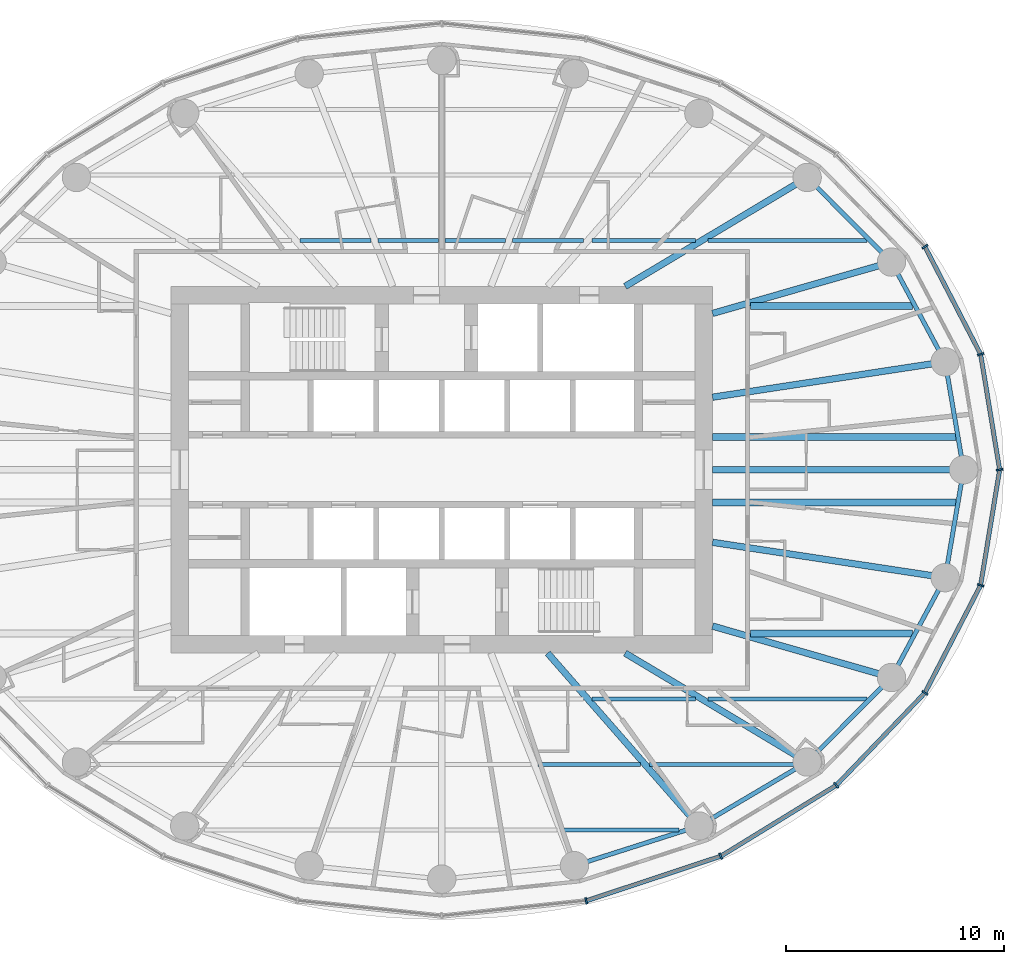
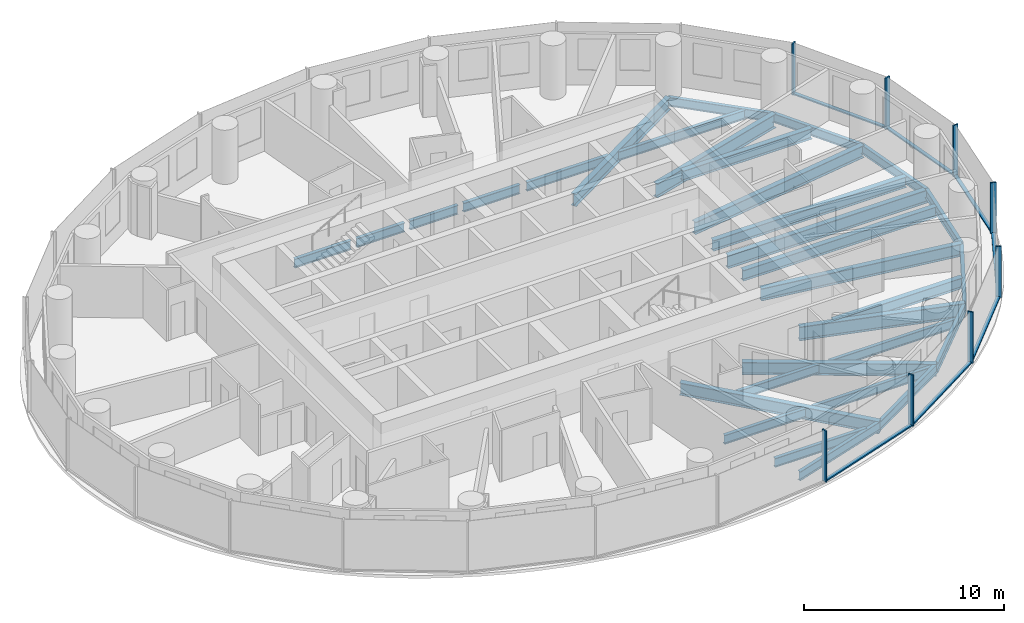
# One storey, part 3 of 13: 31 beams, 15 members, 2 elements without a shape of their own.
"""IFC4 building model written with IfcOpenShell, lengths in metres."""

from ifc_helpers import new_model, si_unit, direction, frame, origin, origin_2d, place, context, subcontext, project, spatial, rectangle, i_section, extrude, material, material_profile, profile_set, type_object, element, aggregate, save


model = new_model("IFC4")

# Units and contexts
model_context = context("Model", 3, precision=1e-05, world=origin(), true_north=direction((0.0, 1.0)))
body_context = subcontext(model_context, "Body", "Model", "MODEL_VIEW")
ifc_project = project(units=[si_unit("LENGTHUNIT", "METRE"), si_unit("AREAUNIT", "SQUARE_METRE"), si_unit("VOLUMEUNIT", "CUBIC_METRE"), si_unit("PLANEANGLEUNIT", "RADIAN"), si_unit("MASSUNIT", "GRAM", prefix="KILO")], contexts=[model_context])

# Site, building, storey
site_placement = place(None, origin())
site = spatial("IfcSite", under=ifc_project, at=site_placement, CompositionType="ELEMENT")
building_placement = place(site_placement, origin())
building = spatial("IfcBuilding", under=site, at=building_placement, Name="Hankou Lantern Tower", CompositionType="ELEMENT")
storey_placement = place(building_placement, frame((0.0, 0.0, 132.0)))
storey = spatial("IfcBuildingStorey", under=building, at=storey_placement, Name="L34", CompositionType="ELEMENT", Elevation=132.0)

# Beams
ifc_material_1 = material(Name="Steel Q355B", Category="steel")
ifc_material_profile_1 = material_profile(ifc_material_1, i_section(OverallWidth=0.199951171875, OverallDepth=0.550048828125, WebThickness=0.010009765625, FlangeThickness=0.01611328125, FilletRadius=0.012939453125, at=origin_2d()), Name="HN550x200x10x16")
ifc_profile_set_1 = profile_set([ifc_material_profile_1], Name="Steel Q355B")
beam_type_1 = type_object("IfcBeamType", Name="EB6 RING BEAM HN550x200x10x16", PredefinedType="SPANDREL", material=ifc_profile_set_1)
beam_1_placement = place(storey_placement, frame((23.89990234375, 0.0, -0.455078125), z_axis=(-0.168527258545, 0.985696993567, 0.0), x_axis=(-0.985696993567, -0.168527258545, 0.0)))
element("IfcBeam", 1, at=beam_1_placement, inside=storey, type_object=beam_type_1, Name="Ring beam R01-R02 L34", PredefinedType="SPANDREL", context=body_context, shape_type="SweptSolid", body=[
    extrude(i_section(OverallWidth=0.199951171875, OverallDepth=0.550048828125, WebThickness=0.010009765625, FlangeThickness=0.01611328125, FilletRadius=0.012939453125, at=origin_2d()), origin(), (0.0, 0.0, 1.0), 5.013916015625),
])
beam_2_placement = place(storey_placement, frame((23.054931640625, 4.942138671875, -0.455078125), z_axis=(-0.473824901673, 0.880619079145, 0.0), x_axis=(-0.880619079145, -0.473824901673, 0.0)))
element("IfcBeam", 2, at=beam_2_placement, inside=storey, type_object=beam_type_1, Name="Ring beam R02-R03 L34", PredefinedType="SPANDREL", context=body_context, shape_type="SweptSolid", body=[
    extrude(i_section(OverallWidth=0.199951171875, OverallDepth=0.550048828125, WebThickness=0.010009765625, FlangeThickness=0.01611328125, FilletRadius=0.012939453125, at=origin_2d()), origin(), (0.0, 0.0, 1.0), 5.190185546875),
])
beam_3_placement = place(storey_placement, frame((20.595703125, 9.5126953125, -0.455078125), z_axis=(-0.705945468625, 0.708266189599, 0.0), x_axis=(-0.708266189599, -0.705945468625, 0.0)))
element("IfcBeam", 3, at=beam_3_placement, inside=storey, type_object=beam_type_1, Name="Ring beam R03-R04 L34", PredefinedType="SPANDREL", context=body_context, shape_type="SweptSolid", body=[
    extrude(i_section(OverallWidth=0.199951171875, OverallDepth=0.550048828125, WebThickness=0.010009765625, FlangeThickness=0.01611328125, FilletRadius=0.012939453125, at=origin_2d()), origin(), (0.0, 0.0, 1.0), 5.470458984375),
])
beam_4_placement = place(storey_placement, frame((6.073974609375, -18.134521484375, -0.455078125), z_axis=(0.952731090451, 0.303814860215, 0.0), x_axis=(-0.303814860215, 0.952731090451, 0.0)))
element("IfcBeam", 4, at=beam_4_placement, inside=storey, type_object=beam_type_1, Name="Ring beam R20-R21 L34", PredefinedType="SPANDREL", context=body_context, shape_type="SweptSolid", body=[
    extrude(i_section(OverallWidth=0.199951171875, OverallDepth=0.550048828125, WebThickness=0.010009765625, FlangeThickness=0.01611328125, FilletRadius=0.012939453125, at=origin_2d()), origin(), (0.0, 0.0, 1.0), 5.984375),
])
beam_5_placement = place(storey_placement, frame((11.775390625, -16.31640625, -0.455078125), z_axis=(0.860988974188, 0.508623619513, 0.0), x_axis=(-0.508623619513, 0.860988974188, 0.0)))
element("IfcBeam", 5, at=beam_5_placement, inside=storey, type_object=beam_type_1, Name="Ring beam R21-R22 L34", PredefinedType="SPANDREL", context=body_context, shape_type="SweptSolid", body=[
    extrude(i_section(OverallWidth=0.199951171875, OverallDepth=0.550048828125, WebThickness=0.010009765625, FlangeThickness=0.01611328125, FilletRadius=0.012939453125, at=origin_2d()), origin(), (0.0, 0.0, 1.0), 5.759033203125),
])
beam_6_placement = place(storey_placement, frame((16.73388671875, -13.38720703125, -0.455078125), z_axis=(0.705945468625, 0.708266189599, 0.0), x_axis=(-0.708266189599, 0.705945468625, 0.0)))
element("IfcBeam", 6, at=beam_6_placement, inside=storey, type_object=beam_type_1, Name="Ring beam R22-R23 L34", PredefinedType="SPANDREL", context=body_context, shape_type="SweptSolid", body=[
    extrude(i_section(OverallWidth=0.199951171875, OverallDepth=0.550048828125, WebThickness=0.010009765625, FlangeThickness=0.01611328125, FilletRadius=0.012939453125, at=origin_2d()), origin(), (0.0, 0.0, 1.0), 5.470458984375),
])
beam_7_placement = place(storey_placement, frame((20.595703125, -9.5126953125, -0.455078125), z_axis=(0.473824901673, 0.880619079145, 0.0), x_axis=(-0.880619079145, 0.473824901673, 0.0)))
element("IfcBeam", 7, at=beam_7_placement, inside=storey, type_object=beam_type_1, Name="Ring beam R23-R24 L34", PredefinedType="SPANDREL", context=body_context, shape_type="SweptSolid", body=[
    extrude(i_section(OverallWidth=0.199951171875, OverallDepth=0.550048828125, WebThickness=0.010009765625, FlangeThickness=0.01611328125, FilletRadius=0.012939453125, at=origin_2d()), origin(), (0.0, 0.0, 1.0), 5.190185546875),
])
beam_8_placement = place(storey_placement, frame((23.054931640625, -4.942138671875, -0.455078125), z_axis=(0.168527258545, 0.985696993567, 0.0), x_axis=(-0.985696993567, 0.168527258545, 0.0)))
element("IfcBeam", 8, at=beam_8_placement, inside=storey, type_object=beam_type_1, Name="Ring beam R24-R01 L34", PredefinedType="SPANDREL", context=body_context, shape_type="SweptSolid", body=[
    extrude(i_section(OverallWidth=0.199951171875, OverallDepth=0.550048828125, WebThickness=0.010009765625, FlangeThickness=0.01611328125, FilletRadius=0.012939453125, at=origin_2d()), origin(), (0.0, 0.0, 1.0), 5.013916015625),
])

# Curtain wall, members
ifc_material_2 = material(Name="Glass, dark grey tinted laminated", Category="glass")
curtain_wall_type = type_object("IfcCurtainWallType", Name="CWB OUTER SKIN MID-RISE", PredefinedType="USERDEFINED", material=ifc_material_2)
curtain_wall_1_placement = place(storey_placement, origin())
curtain_wall_1 = element("IfcCurtainWall", 9, at=curtain_wall_1_placement, inside=storey, type_object=curtain_wall_type, Name="CWB L34 OS1", ObjectType="OUTER SKIN MID-RISE", PredefinedType="USERDEFINED")
ifc_material_3 = material(Name="Aluminium, black anodised", Category="aluminium")
ifc_material_profile_2 = material_profile(ifc_material_3, rectangle(XDim=0.080078125, YDim=0.300048828125, at=origin_2d()), Name="MU1 80X300")
ifc_profile_set_2 = profile_set([ifc_material_profile_2], Name="Aluminium, black anodised")
member_type_1 = type_object("IfcMemberType", Name="MU1 OUTER SKIN MULLION 80X300", PredefinedType="MULLION", material=ifc_profile_set_2)
member_1_placement = place(storey_placement, frame((25.550048828125, 0.0, 0.0), z_axis=(0.0, 0.0, 1.0), x_axis=(-0.162381515188, 0.986728049427, 0.0)))
member_1 = element("IfcMember", 10, at=member_1_placement, type_object=member_type_1, Name="CWB mullion 1", PredefinedType="MULLION", context=body_context, shape_type="SweptSolid", body=[
    extrude(rectangle(XDim=0.080078125, YDim=0.300048828125, at=origin_2d()), origin(), (0.0, 0.0, 1.0), 3.1201171875),
])
member_2_placement = place(storey_placement, frame((24.679443359375, 5.290283203125, 0.0), z_axis=(0.0, 0.0, 1.0), x_axis=(-0.317595577365, 0.94822626479, 0.0)))
member_2 = element("IfcMember", 11, at=member_2_placement, type_object=member_type_1, Name="CWB mullion 2", PredefinedType="MULLION", context=body_context, shape_type="SweptSolid", body=[
    extrude(rectangle(XDim=0.080078125, YDim=0.300048828125, at=origin_2d()), origin(), (0.0, 0.0, 1.0), 3.1201171875),
])
member_3_placement = place(storey_placement, frame((22.126953125, 10.219970703125, 0.0), z_axis=(0.0, 0.0, 1.0), x_axis=(-0.585205735974, 0.810884854084, 0.0)))
member_3 = element("IfcMember", 12, at=member_3_placement, type_object=member_type_1, Name="CWB mullion 3", PredefinedType="MULLION", context=body_context, shape_type="SweptSolid", body=[
    extrude(rectangle(XDim=0.080078125, YDim=0.300048828125, at=origin_2d()), origin(), (0.0, 0.0, 1.0), 3.1201171875),
])

curtain_wall_2_placement = place(storey_placement, origin())
curtain_wall_2 = element("IfcCurtainWall", 13, at=curtain_wall_2_placement, inside=storey, type_object=curtain_wall_type, Name="CWB L34 OS4", ObjectType="OUTER SKIN MID-RISE", PredefinedType="USERDEFINED")
member_4_placement = place(storey_placement, frame((6.61279296875, -19.743408203125, 0.0), z_axis=(0.0, 0.0, 1.0), x_axis=(0.977787659625, 0.209597931016, 0.0)))
member_4 = element("IfcMember", 14, at=member_4_placement, type_object=member_type_1, Name="CWB mullion 2", PredefinedType="MULLION", context=body_context, shape_type="SweptSolid", body=[
    extrude(rectangle(XDim=0.080078125, YDim=0.300048828125, at=origin_2d()), origin(), (0.0, 0.0, 1.0), 3.1201171875),
])
member_5_placement = place(storey_placement, frame((12.77490234375, -17.70166015625, 0.0), z_axis=(0.0, 0.0, 1.0), x_axis=(0.907841299004, 0.419313934686, 0.0)))
member_5 = element("IfcMember", 15, at=member_5_placement, type_object=member_type_1, Name="CWB mullion 3", PredefinedType="MULLION", context=body_context, shape_type="SweptSolid", body=[
    extrude(rectangle(XDim=0.080078125, YDim=0.300048828125, at=origin_2d()), origin(), (0.0, 0.0, 1.0), 3.1201171875),
])
member_6_placement = place(storey_placement, frame((18.066650390625, -14.453369140625, 0.0), z_axis=(0.0, 0.0, 1.0), x_axis=(0.780868809444, 0.624695047553, 0.0)))
member_6 = element("IfcMember", 16, at=member_6_placement, type_object=member_type_1, Name="CWB mullion 4", PredefinedType="MULLION", context=body_context, shape_type="SweptSolid", body=[
    extrude(rectangle(XDim=0.080078125, YDim=0.300048828125, at=origin_2d()), origin(), (0.0, 0.0, 1.0), 3.1201171875),
])
member_7_placement = place(storey_placement, frame((22.126953125, -10.219970703125, 0.0), z_axis=(0.0, 0.0, 1.0), x_axis=(0.585205735974, 0.810884854084, 0.0)))
member_7 = element("IfcMember", 17, at=member_7_placement, type_object=member_type_1, Name="CWB mullion 5", PredefinedType="MULLION", context=body_context, shape_type="SweptSolid", body=[
    extrude(rectangle(XDim=0.080078125, YDim=0.300048828125, at=origin_2d()), origin(), (0.0, 0.0, 1.0), 3.1201171875),
])
member_8_placement = place(storey_placement, frame((24.679443359375, -5.290283203125, 0.0), z_axis=(0.0, 0.0, 1.0), x_axis=(0.317595577365, 0.94822626479, 0.0)))
member_8 = element("IfcMember", 18, at=member_8_placement, type_object=member_type_1, Name="CWB mullion 6", PredefinedType="MULLION", context=body_context, shape_type="SweptSolid", body=[
    extrude(rectangle(XDim=0.080078125, YDim=0.300048828125, at=origin_2d()), origin(), (0.0, 0.0, 1.0), 3.1201171875),
])

# Beams
ifc_material_4 = material(Name="Steel Q355B", Category="steel")
ifc_material_profile_3 = material_profile(ifc_material_4, i_section(OverallWidth=0.300048828125, OverallDepth=0.75, WebThickness=0.012939453125, FlangeThickness=0.02392578125, FilletRadius=0.01806640625, at=origin_2d()), Name="HN750x300x13x24")
ifc_profile_set_3 = profile_set([ifc_material_profile_3], Name="Steel Q355B")
beam_type_2 = type_object("IfcBeamType", Name="RB10 RADIAL BEAM HN750x300x13x24", PredefinedType="BEAM", material=ifc_profile_set_3)
beam_9_placement = place(storey_placement, frame((12.39990234375, 3.322509765625, -0.554931640625), z_axis=(0.988643506875, 0.150279793429, 0.0), x_axis=(-0.150279793429, 0.988643506875, 0.0)))
element("IfcBeam", 19, at=beam_9_placement, inside=storey, type_object=beam_type_2, Name="Radial beam R02 L34", PredefinedType="BEAM", context=body_context, shape_type="SweptSolid", body=[
    extrude(i_section(OverallWidth=0.300048828125, OverallDepth=0.75, WebThickness=0.012939453125, FlangeThickness=0.02392578125, FilletRadius=0.01806640625, at=origin_2d()), origin(), (0.0, 0.0, 1.0), 10.77734375),
])
beam_10_placement = place(storey_placement, frame((8.39990234375, 8.39990234375, -0.554931640625), z_axis=(0.858086776551, 0.513504706802, 0.0), x_axis=(-0.513504706802, 0.858086776551, 0.0)))
element("IfcBeam", 20, at=beam_10_placement, inside=storey, type_object=beam_type_2, Name="Radial beam R04 L34", PredefinedType="BEAM", context=body_context, shape_type="SweptSolid", body=[
    extrude(i_section(OverallWidth=0.300048828125, OverallDepth=0.75, WebThickness=0.012939453125, FlangeThickness=0.02392578125, FilletRadius=0.01806640625, at=origin_2d()), origin(), (0.0, 0.0, 1.0), 9.71240234375),
])
beam_11_placement = place(storey_placement, frame((4.849853515625, -8.39990234375, -0.554931640625), z_axis=(0.658429014446, -0.752642832249, 0.0), x_axis=(0.752642832249, 0.658429014446, 0.0)))
element("IfcBeam", 21, at=beam_11_placement, inside=storey, type_object=beam_type_2, Name="Radial beam R21 L34", PredefinedType="BEAM", context=body_context, shape_type="SweptSolid", body=[
    extrude(i_section(OverallWidth=0.300048828125, OverallDepth=0.75, WebThickness=0.012939453125, FlangeThickness=0.02392578125, FilletRadius=0.01806640625, at=origin_2d()), origin(), (0.0, 0.0, 1.0), 10.518310546875),
])
beam_12_placement = place(storey_placement, frame((8.39990234375, -8.39990234375, -0.554931640625), z_axis=(0.858086776551, -0.513504706802, 0.0), x_axis=(0.513504706802, 0.858086776551, 0.0)))
element("IfcBeam", 22, at=beam_12_placement, inside=storey, type_object=beam_type_2, Name="Radial beam R22 L34", PredefinedType="BEAM", context=body_context, shape_type="SweptSolid", body=[
    extrude(i_section(OverallWidth=0.300048828125, OverallDepth=0.75, WebThickness=0.012939453125, FlangeThickness=0.02392578125, FilletRadius=0.01806640625, at=origin_2d()), origin(), (0.0, 0.0, 1.0), 9.71240234375),
])
beam_13_placement = place(storey_placement, frame((12.39990234375, -3.322509765625, -0.554931640625), z_axis=(0.988643506875, -0.150279793429, 0.0), x_axis=(0.150279793429, 0.988643506875, 0.0)))
element("IfcBeam", 23, at=beam_13_placement, inside=storey, type_object=beam_type_2, Name="Radial beam R24 L34", PredefinedType="BEAM", context=body_context, shape_type="SweptSolid", body=[
    extrude(i_section(OverallWidth=0.300048828125, OverallDepth=0.75, WebThickness=0.012939453125, FlangeThickness=0.02392578125, FilletRadius=0.01806640625, at=origin_2d()), origin(), (0.0, 0.0, 1.0), 10.77734375),
])
ifc_material_5 = material(Name="Steel Q355B", Category="steel")
ifc_material_profile_4 = material_profile(ifc_material_5, i_section(OverallWidth=0.300048828125, OverallDepth=0.800048828125, WebThickness=0.013916015625, FlangeThickness=0.02587890625, FilletRadius=0.01806640625, at=origin_2d()), Name="HN800x300x14x26")
ifc_profile_set_4 = profile_set([ifc_material_profile_4], Name="Steel Q355B")
beam_type_3 = type_object("IfcBeamType", Name="RB11 RADIAL BEAM HN800x300x14x26", PredefinedType="BEAM", material=ifc_profile_set_4)
beam_14_placement = place(storey_placement, frame((12.39990234375, 0.0, -0.580078125), z_axis=(1.0, 0.0, 0.0), x_axis=(0.0, 1.0, 0.0)))
element("IfcBeam", 24, at=beam_14_placement, inside=storey, type_object=beam_type_3, Name="Radial beam R01 L34", PredefinedType="BEAM", context=body_context, shape_type="SweptSolid", body=[
    extrude(i_section(OverallWidth=0.300048828125, OverallDepth=0.800048828125, WebThickness=0.013916015625, FlangeThickness=0.02587890625, FilletRadius=0.01806640625, at=origin_2d()), origin(), (0.0, 0.0, 1.0), 11.5),
])
ifc_material_6 = material(Name="Steel Q355B", Category="steel")
ifc_material_profile_5 = material_profile(ifc_material_6, i_section(OverallWidth=0.300048828125, OverallDepth=0.85009765625, WebThickness=0.01611328125, FlangeThickness=0.027099609375, FilletRadius=0.01806640625, at=origin_2d()), Name="HN850x300x16x27")
ifc_profile_set_5 = profile_set([ifc_material_profile_5], Name="Steel Q355B")
beam_type_4 = type_object("IfcBeamType", Name="RB12 RADIAL BEAM HN850x300x16x27", PredefinedType="BEAM", material=ifc_profile_set_5)
for number, where, z_axis, x_axis, name in (
    (25, (12.39990234375, 7.1591796875, -0.60498046875), (0.961155741911, 0.276006593745, 0.0), (-0.276006593745, 0.961155741911, 0.0), "Radial beam R03 L34"),
    (26, (12.39990234375, -7.1591796875, -0.60498046875), (0.961155741911, -0.276006593745, 0.0), (0.276006593745, 0.961155741911, 0.0), "Radial beam R23 L34"),
):
    element("IfcBeam", number, at=place(storey_placement, frame(where, z_axis=z_axis, x_axis=x_axis)), inside=storey, type_object=beam_type_4, Name=name, PredefinedType="BEAM", context=body_context, shape_type="SweptSolid", body=[
        extrude(i_section(OverallWidth=0.300048828125, OverallDepth=0.85009765625, WebThickness=0.01611328125, FlangeThickness=0.027099609375, FilletRadius=0.01806640625, at=origin_2d()), origin(), (0.0, 0.0, 1.0), 8.527099609375),
    ])
ifc_material_7 = material(Name="Steel Q355B", Category="steel")
ifc_material_profile_6 = material_profile(ifc_material_7, i_section(OverallWidth=0.199951171875, OverallDepth=0.550048828125, WebThickness=0.010009765625, FlangeThickness=0.01611328125, FilletRadius=0.012939453125, at=origin_2d()), Name="HN550x200x10x16")
ifc_profile_set_6 = profile_set([ifc_material_profile_6], Name="Steel Q355B")
beam_type_5 = type_object("IfcBeamType", Name="SB6 SECONDARY BEAM HN550x200x10x16", PredefinedType="JOIST", material=ifc_profile_set_6)
beam_15_placement = place(storey_placement, frame((5.59326171875, -16.5, -0.455078125), z_axis=(1.0, 0.0, 0.0), x_axis=(0.0, 1.0, 0.0)))
element("IfcBeam", 27, at=beam_15_placement, inside=storey, type_object=beam_type_5, Name="Floor joist J004 L34", PredefinedType="JOIST", context=body_context, shape_type="SweptSolid", body=[
    extrude(i_section(OverallWidth=0.199951171875, OverallDepth=0.550048828125, WebThickness=0.010009765625, FlangeThickness=0.01611328125, FilletRadius=0.012939453125, at=origin_2d()), origin(), (0.0, 0.0, 1.0), 5.27685546875),
])
beam_16_placement = place(storey_placement, frame((4.4150390625, -13.5, -0.455078125), z_axis=(1.0, 0.0, 0.0), x_axis=(0.0, 1.0, 0.0)))
element("IfcBeam", 28, at=beam_16_placement, inside=storey, type_object=beam_type_5, Name="Floor joist J009 L34", PredefinedType="JOIST", context=body_context, shape_type="SweptSolid", body=[
    extrude(i_section(OverallWidth=0.199951171875, OverallDepth=0.550048828125, WebThickness=0.010009765625, FlangeThickness=0.01611328125, FilletRadius=0.012939453125, at=origin_2d()), origin(), (0.0, 0.0, 1.0), 4.697021484375),
])
beam_17_placement = place(storey_placement, frame((9.5107421875, -13.5, -0.455078125), z_axis=(1.0, 0.0, 0.0), x_axis=(0.0, 1.0, 0.0)))
element("IfcBeam", 29, at=beam_17_placement, inside=storey, type_object=beam_type_5, Name="Floor joist J010 L34", PredefinedType="JOIST", context=body_context, shape_type="SweptSolid", body=[
    extrude(i_section(OverallWidth=0.199951171875, OverallDepth=0.550048828125, WebThickness=0.010009765625, FlangeThickness=0.01611328125, FilletRadius=0.012939453125, at=origin_2d()), origin(), (0.0, 0.0, 1.0), 6.83544921875),
])
beam_18_placement = place(storey_placement, frame((6.88623046875, -10.5, -0.455078125), z_axis=(1.0, 0.0, 0.0), x_axis=(0.0, 1.0, 0.0)))
element("IfcBeam", 30, at=beam_18_placement, inside=storey, type_object=beam_type_5, Name="Floor joist J017 L34", PredefinedType="JOIST", context=body_context, shape_type="SweptSolid", body=[
    extrude(i_section(OverallWidth=0.199951171875, OverallDepth=0.550048828125, WebThickness=0.010009765625, FlangeThickness=0.01611328125, FilletRadius=0.012939453125, at=origin_2d()), origin(), (0.0, 0.0, 1.0), 4.73095703125),
])
beam_19_placement = place(storey_placement, frame((12.201416015625, -10.5, -0.455078125), z_axis=(1.0, 0.0, 0.0), x_axis=(0.0, 1.0, 0.0)))
element("IfcBeam", 31, at=beam_19_placement, inside=storey, type_object=beam_type_5, Name="Floor joist J018 L34", PredefinedType="JOIST", context=body_context, shape_type="SweptSolid", body=[
    extrude(i_section(OverallWidth=0.199951171875, OverallDepth=0.550048828125, WebThickness=0.010009765625, FlangeThickness=0.01611328125, FilletRadius=0.012939453125, at=origin_2d()), origin(), (0.0, 0.0, 1.0), 7.26904296875),
])
beam_20_placement = place(storey_placement, frame((-6.487548828125, 10.5, -0.455078125), z_axis=(1.0, 0.0, 0.0), x_axis=(0.0, 1.0, 0.0)))
element("IfcBeam", 32, at=beam_20_placement, inside=storey, type_object=beam_type_5, Name="Floor joist J037 L34", PredefinedType="JOIST", context=body_context, shape_type="SweptSolid", body=[
    extrude(i_section(OverallWidth=0.199951171875, OverallDepth=0.550048828125, WebThickness=0.010009765625, FlangeThickness=0.01611328125, FilletRadius=0.012939453125, at=origin_2d()), origin(), (0.0, 0.0, 1.0), 3.2509765625),
])
for number, where, z_axis, x_axis, name in (
    (33, (-2.914306640625, 10.5, -0.455078125), (1.0, 0.0, 0.0), (0.0, 1.0, 0.0), "Floor joist J038 L34"),
    (34, (0.14990234375, 10.5, -0.455078125), (1.0, 0.0, 0.0), (0.0, 1.0, 0.0), "Floor joist J039 L34"),
):
    element("IfcBeam", number, at=place(storey_placement, frame(where, z_axis=z_axis, x_axis=x_axis)), inside=storey, type_object=beam_type_5, Name=name, PredefinedType="JOIST", context=body_context, shape_type="SweptSolid", body=[
        extrude(i_section(OverallWidth=0.199951171875, OverallDepth=0.550048828125, WebThickness=0.010009765625, FlangeThickness=0.01611328125, FilletRadius=0.012939453125, at=origin_2d()), origin(), (0.0, 0.0, 1.0), 2.764404296875),
    ])
beam_21_placement = place(storey_placement, frame((3.236572265625, 10.5, -0.455078125), z_axis=(1.0, 0.0, 0.0), x_axis=(0.0, 1.0, 0.0)))
element("IfcBeam", 35, at=beam_21_placement, inside=storey, type_object=beam_type_5, Name="Floor joist J040 L34", PredefinedType="JOIST", context=body_context, shape_type="SweptSolid", body=[
    extrude(i_section(OverallWidth=0.199951171875, OverallDepth=0.550048828125, WebThickness=0.010009765625, FlangeThickness=0.01611328125, FilletRadius=0.012939453125, at=origin_2d()), origin(), (0.0, 0.0, 1.0), 3.2509765625),
])
beam_22_placement = place(storey_placement, frame((6.88623046875, 10.5, -0.455078125), z_axis=(1.0, 0.0, 0.0), x_axis=(0.0, 1.0, 0.0)))
element("IfcBeam", 36, at=beam_22_placement, inside=storey, type_object=beam_type_5, Name="Floor joist J041 L34", PredefinedType="JOIST", context=body_context, shape_type="SweptSolid", body=[
    extrude(i_section(OverallWidth=0.199951171875, OverallDepth=0.550048828125, WebThickness=0.010009765625, FlangeThickness=0.01611328125, FilletRadius=0.012939453125, at=origin_2d()), origin(), (0.0, 0.0, 1.0), 4.73095703125),
])
beam_23_placement = place(storey_placement, frame((12.201416015625, 10.5, -0.455078125), z_axis=(1.0, 0.0, 0.0), x_axis=(0.0, 1.0, 0.0)))
element("IfcBeam", 37, at=beam_23_placement, inside=storey, type_object=beam_type_5, Name="Floor joist J042 L34", PredefinedType="JOIST", context=body_context, shape_type="SweptSolid", body=[
    extrude(i_section(OverallWidth=0.199951171875, OverallDepth=0.550048828125, WebThickness=0.010009765625, FlangeThickness=0.01611328125, FilletRadius=0.012939453125, at=origin_2d()), origin(), (0.0, 0.0, 1.0), 7.26904296875),
])
ifc_material_8 = material(Name="Steel Q355B", Category="steel")
ifc_material_profile_7 = material_profile(ifc_material_8, i_section(OverallWidth=0.300048828125, OverallDepth=0.64990234375, WebThickness=0.010986328125, FlangeThickness=0.01708984375, FilletRadius=0.01806640625, at=origin_2d()), Name="HN650x300x11x17")
ifc_profile_set_7 = profile_set([ifc_material_profile_7], Name="Steel Q355B")
beam_type_6 = type_object("IfcBeamType", Name="SB8 SECONDARY BEAM HN650x300x11x17", PredefinedType="JOIST", material=ifc_profile_set_7)
beam_24_placement = place(storey_placement, frame((14.13037109375, -7.5, -0.5048828125), z_axis=(1.0, 0.0, 0.0), x_axis=(0.0, 1.0, 0.0)))
element("IfcBeam", 38, at=beam_24_placement, inside=storey, type_object=beam_type_6, Name="Floor joist J020 L34", PredefinedType="JOIST", context=body_context, shape_type="SweptSolid", body=[
    extrude(i_section(OverallWidth=0.300048828125, OverallDepth=0.64990234375, WebThickness=0.010986328125, FlangeThickness=0.01708984375, FilletRadius=0.01806640625, at=origin_2d()), origin(), (0.0, 0.0, 1.0), 7.4345703125),
])
for number, where, z_axis, x_axis, name in (
    (39, (12.39990234375, -1.5, -0.5048828125), (1.0, 0.0, 0.0), (0.0, 1.0, 0.0), "Floor joist J026 L34"),
    (40, (12.39990234375, 1.5, -0.5048828125), (1.0, 0.0, 0.0), (0.0, 1.0, 0.0), "Floor joist J028 L34"),
):
    element("IfcBeam", number, at=place(storey_placement, frame(where, z_axis=z_axis, x_axis=x_axis)), inside=storey, type_object=beam_type_6, Name=name, PredefinedType="JOIST", context=body_context, shape_type="SweptSolid", body=[
        extrude(i_section(OverallWidth=0.300048828125, OverallDepth=0.64990234375, WebThickness=0.010986328125, FlangeThickness=0.01708984375, FilletRadius=0.01806640625, at=origin_2d()), origin(), (0.0, 0.0, 1.0), 11.14208984375),
    ])
beam_25_placement = place(storey_placement, frame((14.13037109375, 7.5, -0.5048828125), z_axis=(1.0, 0.0, 0.0), x_axis=(0.0, 1.0, 0.0)))
element("IfcBeam", 41, at=beam_25_placement, inside=storey, type_object=beam_type_6, Name="Floor joist J034 L34", PredefinedType="JOIST", context=body_context, shape_type="SweptSolid", body=[
    extrude(i_section(OverallWidth=0.300048828125, OverallDepth=0.64990234375, WebThickness=0.010986328125, FlangeThickness=0.01708984375, FilletRadius=0.01806640625, at=origin_2d()), origin(), (0.0, 0.0, 1.0), 7.4345703125),
])

# Member
ifc_material_9 = material(Name="Aluminium, black anodised", Category="aluminium")
ifc_material_profile_8 = material_profile(ifc_material_9, rectangle(XDim=0.199951171875, YDim=0.080078125, at=origin_2d()), Name="TR1 200X80")
ifc_profile_set_8 = profile_set([ifc_material_profile_8], Name="Aluminium, black anodised")
member_type_2 = type_object("IfcMemberType", Name="TR1 OUTER SKIN TRANSOM 200X80", PredefinedType="USERDEFINED", material=ifc_profile_set_8)
member_9_placement = place(storey_placement, frame((25.54345703125, 0.03955078125, 0.0400390625), z_axis=(-0.162397124076, 0.986725480614, 0.0), x_axis=(-0.986725480614, -0.162397124076, 0.0)))
member_9 = element("IfcMember", 42, at=member_9_placement, type_object=member_type_2, Name="CWB transom 1", ObjectType="TRANSOM", PredefinedType="USERDEFINED", context=body_context, shape_type="SweptSolid", body=[
    extrude(rectangle(XDim=0.199951171875, YDim=0.080078125, at=origin_2d()), origin(), (0.0, 0.0, 1.0), 5.28125),
])

member_10_placement = place(storey_placement, frame((24.6611328125, 5.32568359375, 0.0400390625), z_axis=(-0.459805240543, 0.888019786249, 0.0), x_axis=(-0.888019786249, -0.459805240543, 0.0)))
member_10 = element("IfcMember", 43, at=member_10_placement, type_object=member_type_2, Name="CWB transom 2", ObjectType="TRANSOM", PredefinedType="USERDEFINED", context=body_context, shape_type="SweptSolid", body=[
    extrude(rectangle(XDim=0.199951171875, YDim=0.080078125, at=origin_2d()), origin(), (0.0, 0.0, 1.0), 5.4716796875),
])

aggregate(curtain_wall_1, [member_1, member_2, member_3, member_9, member_10])

member_11_placement = place(storey_placement, frame((6.65087890625, -19.73095703125, 0.0400390625), z_axis=(0.949237765745, 0.314559476225, 0.0), x_axis=(-0.314559476225, 0.949237765745, 0.0)))
member_11 = element("IfcMember", 44, at=member_11_placement, type_object=member_type_2, Name="CWB transom 2", ObjectType="TRANSOM", PredefinedType="USERDEFINED", context=body_context, shape_type="SweptSolid", body=[
    extrude(rectangle(XDim=0.199951171875, YDim=0.080078125, at=origin_2d()), origin(), (0.0, 0.0, 1.0), 6.41162109375),
])

member_12_placement = place(storey_placement, frame((12.80908203125, -17.6806640625, 0.0400390625), z_axis=(0.852229492169, 0.523168130411, 0.0), x_axis=(-0.523168130411, 0.852229492169, 0.0)))
member_12 = element("IfcMember", 45, at=member_12_placement, type_object=member_type_2, Name="CWB transom 3", ObjectType="TRANSOM", PredefinedType="USERDEFINED", context=body_context, shape_type="SweptSolid", body=[
    extrude(rectangle(XDim=0.199951171875, YDim=0.080078125, at=origin_2d()), origin(), (0.0, 0.0, 1.0), 6.129150390625),
])

member_13_placement = place(storey_placement, frame((18.09423828125, -14.42431640625, 0.0400390625), z_axis=(0.692226977748, 0.721679853729, 0.0), x_axis=(-0.721679853729, 0.692226977748, 0.0)))
member_13 = element("IfcMember", 46, at=member_13_placement, type_object=member_type_2, Name="CWB transom 4", ObjectType="TRANSOM", PredefinedType="USERDEFINED", context=body_context, shape_type="SweptSolid", body=[
    extrude(rectangle(XDim=0.199951171875, YDim=0.080078125, at=origin_2d()), origin(), (0.0, 0.0, 1.0), 5.785888671875),
])

member_14_placement = place(storey_placement, frame((22.145263671875, -10.1845703125, 0.0400390625), z_axis=(0.459805240543, 0.888019786249, 0.0), x_axis=(-0.888019786249, 0.459805240543, 0.0)))
member_14 = element("IfcMember", 47, at=member_14_placement, type_object=member_type_2, Name="CWB transom 5", ObjectType="TRANSOM", PredefinedType="USERDEFINED", context=body_context, shape_type="SweptSolid", body=[
    extrude(rectangle(XDim=0.199951171875, YDim=0.080078125, at=origin_2d()), origin(), (0.0, 0.0, 1.0), 5.4716796875),
])

member_15_placement = place(storey_placement, frame((24.685791015625, -5.250732421875, 0.0400390625), z_axis=(0.162397124076, 0.986725480614, 0.0), x_axis=(-0.986725480614, 0.162397124076, 0.0)))
member_15 = element("IfcMember", 48, at=member_15_placement, type_object=member_type_2, Name="CWB transom 6", ObjectType="TRANSOM", PredefinedType="USERDEFINED", context=body_context, shape_type="SweptSolid", body=[
    extrude(rectangle(XDim=0.199951171875, YDim=0.080078125, at=origin_2d()), origin(), (0.0, 0.0, 1.0), 5.28125),
])

aggregate(curtain_wall_2, [member_4, member_5, member_6, member_7, member_8, member_11, member_12, member_13, member_14, member_15])

save(model, "model.ifc")
